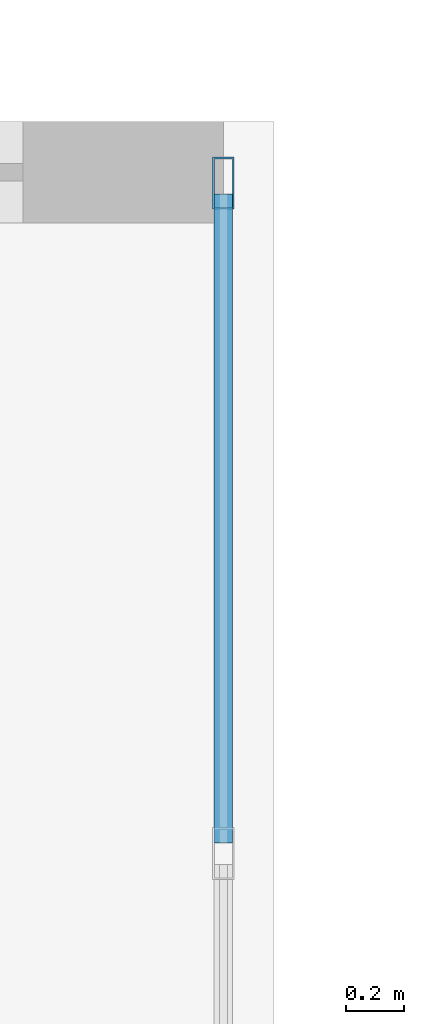
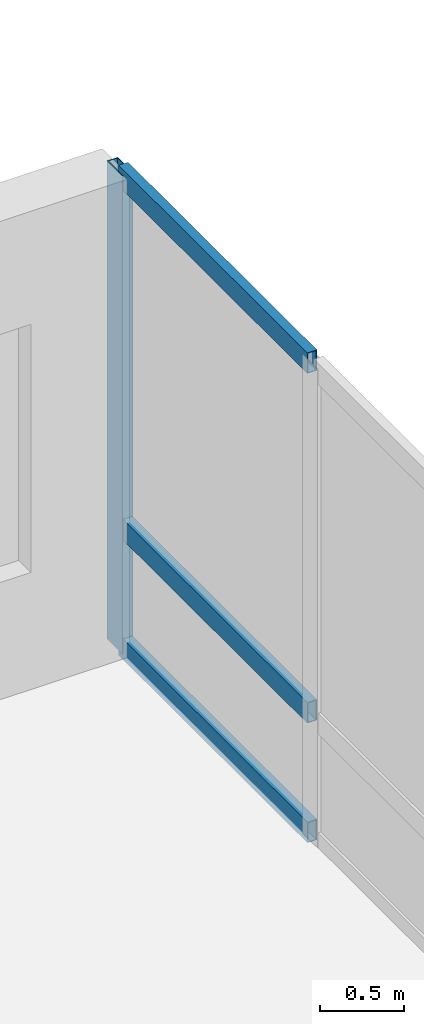
# One storey, part 4 of 16: 4 members, 1 element without a shape of its own.
"""IFC4 building model written with IfcOpenShell, lengths in metres."""

from ifc_helpers import new_model, si_unit, direction, frame, origin, origin_2d, place, context, subcontext, project, spatial, hollow_rectangle, extrude, material, layer, layer_set, material_profile, profile_set, type_object, element, aggregate, save


model = new_model("IFC4")

# Units and contexts
model_context = context("Model", 3, precision=1e-05, world=origin(), true_north=direction((0.0, 1.0)))
body_context = subcontext(model_context, "Body", "Model", "MODEL_VIEW")
ifc_project = project(units=[si_unit("LENGTHUNIT", "METRE"), si_unit("AREAUNIT", "SQUARE_METRE"), si_unit("VOLUMEUNIT", "CUBIC_METRE"), si_unit("PLANEANGLEUNIT", "RADIAN"), si_unit("MASSUNIT", "GRAM", prefix="KILO")], contexts=[model_context])

# Site, building, storey
site_placement = place(None, origin())
site = spatial("IfcSite", under=ifc_project, at=site_placement, CompositionType="ELEMENT")
building_placement = place(site_placement, origin())
building = spatial("IfcBuilding", under=site, at=building_placement, Name="Koriwani Terraces Tower", CompositionType="ELEMENT")
storey_placement = place(building_placement, frame((0.0, 0.0, 245.300048828125)))
storey = spatial("IfcBuildingStorey", under=building, at=storey_placement, Name="L60", CompositionType="ELEMENT", Elevation=245.300048828125)

# Curtain wall, members
ifc_material = material(Name="Anodised Bronze Aluminium", Category="aluminium")
ifc_layer = layer(ifc_material, 0.169921875, Name="Anodised Bronze Aluminium")
ifc_layer_set = layer_set([ifc_layer], Name="Anodised Bronze Aluminium")
curtain_wall_type = type_object("IfcCurtainWallType", Name="CW_RES_ZONE4", PredefinedType="NOTDEFINED", material=ifc_layer_set)
curtain_wall_placement = place(storey_placement, origin())
curtain_wall = element("IfcCurtainWall", 1, at=curtain_wall_placement, inside=storey, type_object=curtain_wall_type, Name="L60 Unitised Curtain Wall (E_TIP) Bay 1", PredefinedType="NOTDEFINED")
ifc_material_profile_1 = material_profile(ifc_material, hollow_rectangle(XDim=0.074951171875, YDim=0.179931640625, WallThickness=0.006103515625, at=origin_2d()), Name="Anodised Bronze Aluminium", Category="LoadBearing")
ifc_profile_set_1 = profile_set([ifc_material_profile_1], Name="Anodised Bronze Aluminium")
member_type_1 = type_object("IfcMemberType", Name="CW_MULLION_180X75", PredefinedType="MULLION", material=ifc_profile_set_1)
member_1_placement = place(storey_placement, frame((75.425048828125, 30.387451171875, 0.0), z_axis=(0.0, 0.0, 1.0), x_axis=(1.0, 0.0, 0.0)))
member_1 = element("IfcMember", 2, at=member_1_placement, type_object=member_type_1, Name="CW-Z4 mullion 1", PredefinedType="MULLION", context=body_context, shape_type="SweptSolid", body=[
    extrude(hollow_rectangle(XDim=0.074951171875, YDim=0.179931640625, WallThickness=0.006103515625, at=origin_2d()), origin(), (0.0, 0.0, 1.0), 3.469970703125),
])
ifc_material_profile_2 = material_profile(ifc_material, hollow_rectangle(XDim=0.06494140625, YDim=0.14990234375, WallThickness=0.0048828125, at=origin_2d()), Name="Anodised Bronze Aluminium", Category="LoadBearing")
ifc_profile_set_2 = profile_set([ifc_material_profile_2], Name="Anodised Bronze Aluminium")
member_type_2 = type_object("IfcMemberType", Name="CW_TRANSOM_150X65", PredefinedType="USERDEFINED", material=ifc_profile_set_2)
member_2_placement = place(storey_placement, frame((75.425048828125, 30.35009765625, 0.032470703125), z_axis=(0.0, -1.0, 0.0), x_axis=(1.0, 0.0, 0.0)))
member_2 = element("IfcMember", 3, at=member_2_placement, type_object=member_type_2, Name="CW-Z4 transom 1.1", ObjectType="TRANSOM", PredefinedType="USERDEFINED", context=body_context, shape_type="SweptSolid", body=[
    extrude(hollow_rectangle(XDim=0.06494140625, YDim=0.14990234375, WallThickness=0.0048828125, at=origin_2d()), origin(), (0.0, 0.0, 1.0), 2.2451171875),
])
member_3_placement = place(storey_placement, frame((75.425048828125, 30.35009765625, 0.89990234375), z_axis=(0.0, -1.0, 0.0), x_axis=(1.0, 0.0, 0.0)))
member_3 = element("IfcMember", 4, at=member_3_placement, type_object=member_type_2, Name="CW-Z4 transom 1.2", ObjectType="TRANSOM", PredefinedType="USERDEFINED", context=body_context, shape_type="SweptSolid", body=[
    extrude(hollow_rectangle(XDim=0.06494140625, YDim=0.14990234375, WallThickness=0.0048828125, at=origin_2d()), origin(), (0.0, 0.0, 1.0), 2.2451171875),
])
member_4_placement = place(storey_placement, frame((75.425048828125, 30.35009765625, 3.4375), z_axis=(0.0, -1.0, 0.0), x_axis=(1.0, 0.0, 0.0)))
member_4 = element("IfcMember", 5, at=member_4_placement, type_object=member_type_2, Name="CW-Z4 transom 1.3", ObjectType="TRANSOM", PredefinedType="USERDEFINED", context=body_context, shape_type="SweptSolid", body=[
    extrude(hollow_rectangle(XDim=0.06494140625, YDim=0.14990234375, WallThickness=0.0048828125, at=origin_2d()), origin(), (0.0, 0.0, 1.0), 2.2451171875),
])
aggregate(curtain_wall, [member_1, member_2, member_3, member_4])

save(model, "model.ifc")
